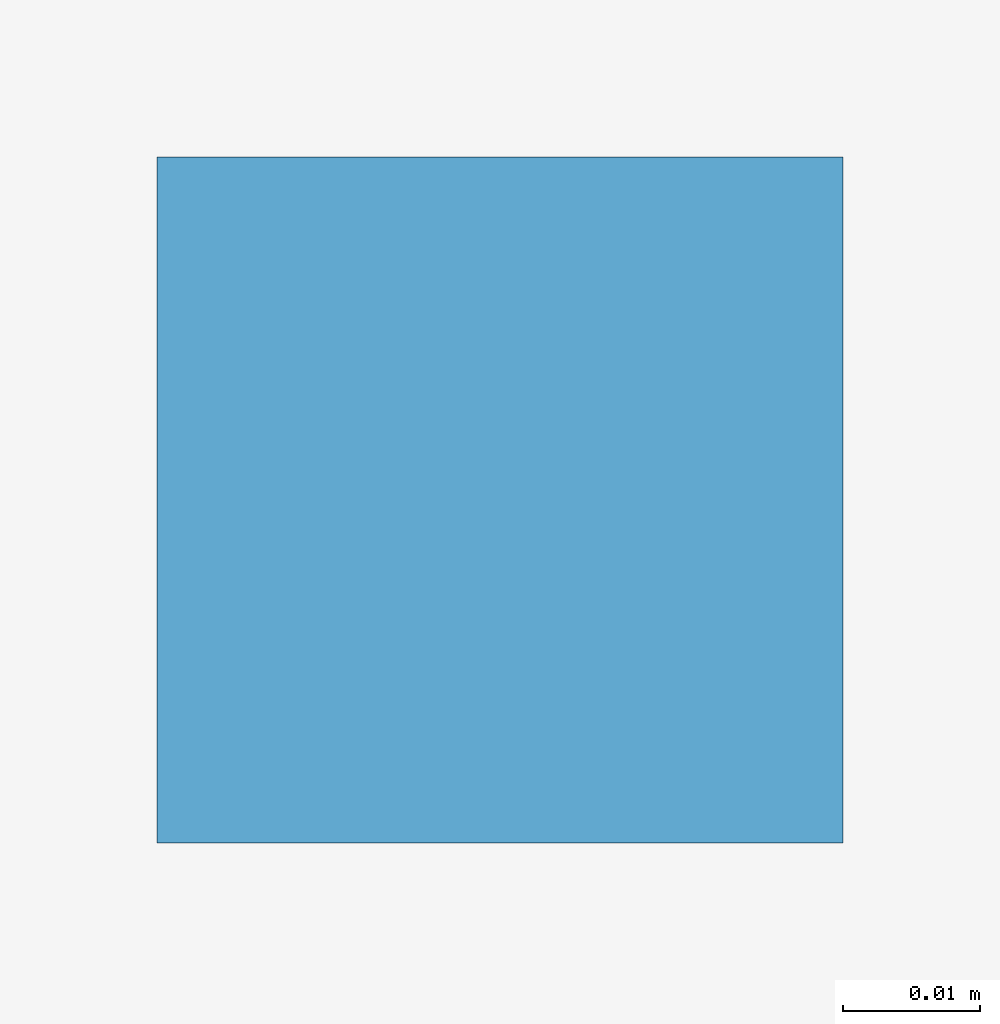
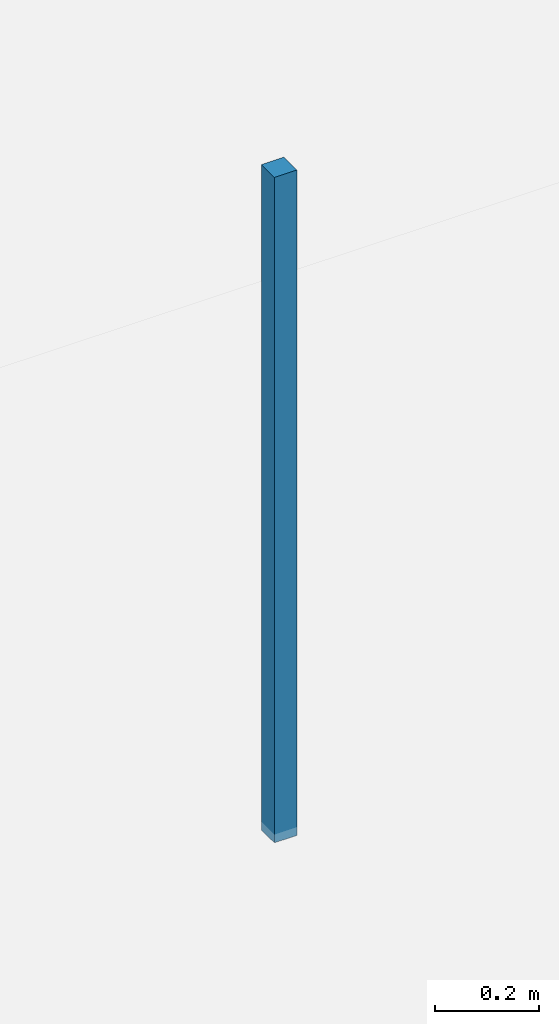
# One storey, part 42 of 56: 1 discrete accessory.
"""IFC4 building model written with IfcOpenShell, lengths in metres."""

from ifc_helpers import new_model, si_unit, direction, frame, origin, origin_2d, place, context, subcontext, project, spatial, rectangle, extrude, material, type_object, element, save


model = new_model("IFC4")

# Units and contexts
model_context = context("Model", 3, precision=1e-05, world=origin(), true_north=direction((0.0, 1.0)))
body_context = subcontext(model_context, "Body", "Model", "MODEL_VIEW")
ifc_project = project(units=[si_unit("LENGTHUNIT", "METRE"), si_unit("AREAUNIT", "SQUARE_METRE"), si_unit("VOLUMEUNIT", "CUBIC_METRE"), si_unit("PLANEANGLEUNIT", "RADIAN"), si_unit("MASSUNIT", "GRAM", prefix="KILO")], contexts=[model_context])

# Site, building, storey
site_placement = place(None, origin())
site = spatial("IfcSite", under=ifc_project, at=site_placement, CompositionType="ELEMENT")
building_placement = place(site_placement, origin())
building = spatial("IfcBuilding", under=site, at=building_placement, Name="Kazehaya Institute of Natural Sciences", CompositionType="ELEMENT")
storey_placement = place(building_placement, origin())
storey = spatial("IfcBuildingStorey", under=building, at=storey_placement, Name="L00", CompositionType="ELEMENT", Elevation=0.0)

# Discrete accessory
ifc_material = material(Name="Structural steel SN490B", Category="steel")
discrete_accessory_type = type_object("IfcDiscreteAccessoryType", Name="ACC-CLG-HGR", PredefinedType="BRACKET", material=ifc_material)
discrete_accessory_placement = place(storey_placement, frame((72.587158203125, 104.00732421875, 3.75244140625), z_axis=(0.0, 0.0, 1.0), x_axis=(1.0, 0.0, 0.0)))
element("IfcDiscreteAccessory", 1, at=discrete_accessory_placement, inside=storey, type_object=discrete_accessory_type, Name="L00 ceiling suspension hanger 12", PredefinedType="BRACKET", context=body_context, shape_type="SweptSolid", body=[
    extrude(rectangle(XDim=0.050048828125, YDim=0.050048828125, at=origin_2d()), origin(), (0.0, 0.0, 1.0), 1.5673828125),
])

save(model, "model.ifc")
